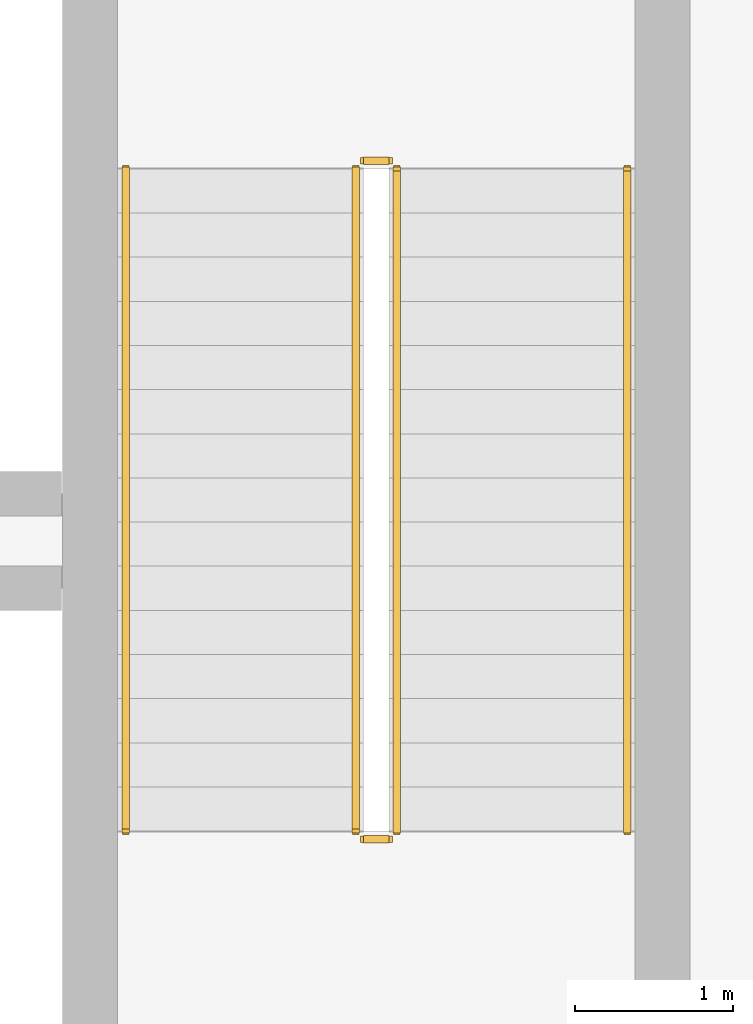
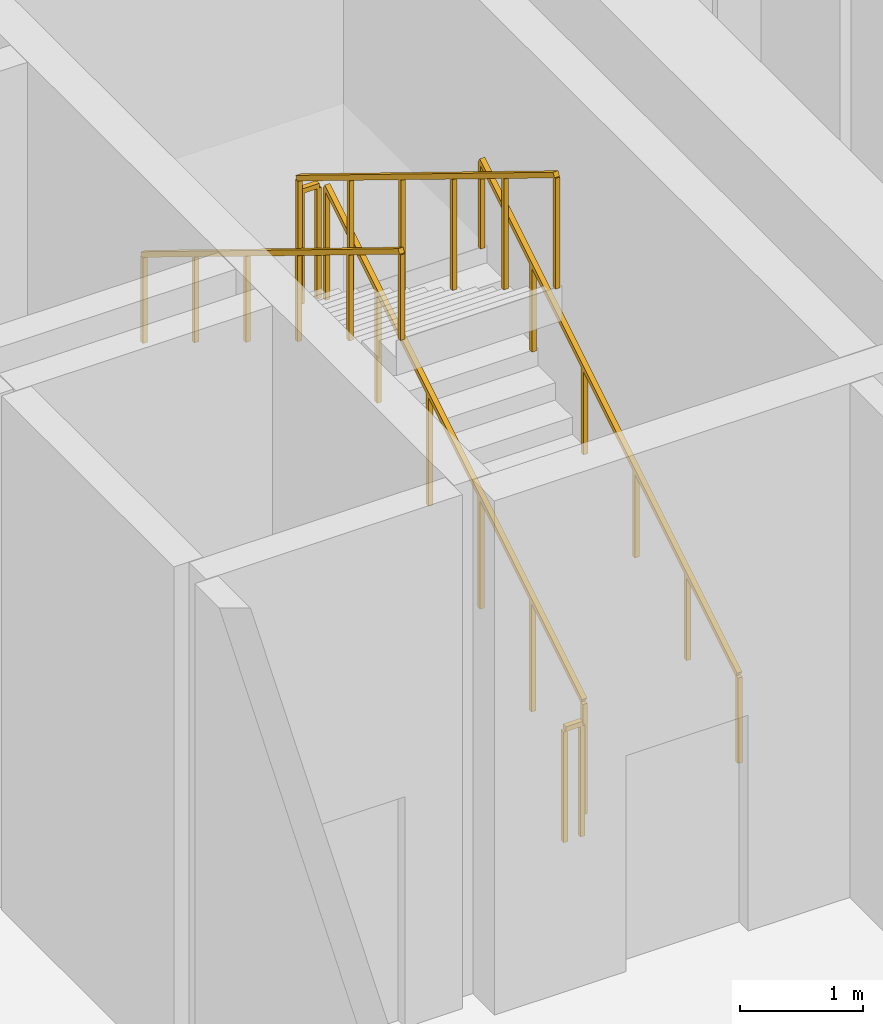
# One storey, part 26 of 26: 6 railings.
"""IFC4 building model written with IfcOpenShell, lengths in metres."""

import ifcopenshell
import ifcopenshell.guid

model = None  # the IFC model being written
_history = None  # IfcOwnerHistory: only IFC2X3 demands one
_inside = {}  # id of a spatial element -> (the spatial element, [elements in it])
_under = {}  # id of a project, library or spatial element -> (it, [spatial elements below it])
_declared = {}  # id of a project -> (the project, [libraries it declares])
_typed = {}  # id of a type object -> (the type object, [elements of that type])
_made_of = {}  # id of a material, layer set ... -> (it, [elements and type objects made of it])


def new_model(schema):
    """Start an empty IFC model of exactly this schema.

    Asked for "IFC4X3", IfcOpenShell would pick the latest addendum, in which some entities
    have other attributes; the version numbers below select the first issue.
    IFC2X3 requires an IfcOwnerHistory on every rooted entity: one is made here for all.
    """
    global model, _history
    if schema == "IFC4X3":
        model = ifcopenshell.file(schema_version=(4, 3, 0, 0))
    else:
        model = ifcopenshell.file(schema=schema)
    _inside.clear()
    _under.clear()
    _declared.clear()
    _typed.clear()
    _made_of.clear()
    _history = None
    if model.schema == "IFC2X3":
        org = make("IfcOrganization", Name="unknown")
        user = make(
            "IfcPersonAndOrganization",
            ThePerson=make("IfcPerson", FamilyName="unknown"),
            TheOrganization=org,
        )
        app = make(
            "IfcApplication",
            ApplicationDeveloper=org,
            Version="unknown",
            ApplicationFullName="unknown",
            ApplicationIdentifier="unknown",
        )
        _history = make(
            "IfcOwnerHistory",
            OwningUser=user,
            OwningApplication=app,
            ChangeAction="ADDED",
            CreationDate=0,
        )
    return model


def make(cls, **values):
    """One entity of the class cls with the attributes given. An attribute that is None is left unset."""
    return model.create_entity(
        cls, **{name: value for name, value in values.items() if value is not None}
    )


def rooted(cls, **values):
    """An entity with a GlobalId (a new one), such as an element, a storey or a relation."""
    return make(cls, GlobalId=ifcopenshell.guid.new(), OwnerHistory=_history, **values)


def si_unit(unit_type, name, prefix=None):
    """IfcSIUnit, for example si_unit("LENGTHUNIT", "METRE", prefix="MILLI")."""
    return make("IfcSIUnit", UnitType=unit_type, Prefix=prefix, Name=name)


def assignment(units):
    """IfcUnitAssignment: the units of a project."""
    return None if units is None else make("IfcUnitAssignment", Units=units)


def point(xyz):
    """IfcCartesianPoint."""
    return None if xyz is None else make("IfcCartesianPoint", Coordinates=xyz)


def direction(xyz):
    """IfcDirection."""
    return None if xyz is None else make("IfcDirection", DirectionRatios=xyz)


def frame(location, z_axis=None, x_axis=None):
    """IfcAxis2Placement3D, a coordinate frame: its origin and axes. An axis left out is left unset."""
    return make(
        "IfcAxis2Placement3D",
        Location=point(location),
        Axis=direction(z_axis),
        RefDirection=direction(x_axis),
    )


def frame_2d(location, x_axis=None):
    """IfcAxis2Placement2D, a coordinate frame in the plane: its origin and x axis."""
    return make(
        "IfcAxis2Placement2D", Location=point(location), RefDirection=direction(x_axis)
    )


def origin():
    """The frame at (0, 0, 0) with its axes left unset."""
    return frame((0.0, 0.0, 0.0))


def origin_2d():
    """The frame at (0, 0) in the plane with its x axis left unset."""
    return frame_2d((0.0, 0.0))


def place(relative_to, where):
    """IfcLocalPlacement: puts the frame where relative to a parent placement (None: the world)."""
    return make(
        "IfcLocalPlacement", PlacementRelTo=relative_to, RelativePlacement=where
    )


def context(
    kind, dimensions, precision=None, world=None, true_north=None, identifier=None
):
    """IfcGeometricRepresentationContext, for example the 3D "Model" context."""
    return make(
        "IfcGeometricRepresentationContext",
        ContextIdentifier=identifier,
        ContextType=kind,
        CoordinateSpaceDimension=dimensions,
        Precision=precision,
        WorldCoordinateSystem=world,
        TrueNorth=true_north,
    )


def subcontext(parent, identifier, kind, view, scale=None):
    """IfcGeometricRepresentationSubContext, for example "Body" below "Model"."""
    return make(
        "IfcGeometricRepresentationSubContext",
        ContextIdentifier=identifier,
        ContextType=kind,
        ParentContext=parent,
        TargetScale=scale,
        TargetView=view,
    )


def project(units=None, contexts=None):
    """IfcProject with its units and contexts."""
    return rooted(
        "IfcProject",
        Name="project",
        RepresentationContexts=contexts,
        UnitsInContext=assignment(units),
    )


def spatial(cls, under=None, at=None, **own):
    """A site, building, storey or space (cls), placed at a placement, below another one or the project."""
    s = rooted(cls, ObjectPlacement=at, **own)
    if under is not None:
        _under.setdefault(under.id(), (under, []))[1].append(s)
    return s


def profile(cls, at=None, kind="AREA", **sizes):
    """A parametric profile (cls). Its sizes go by their IFC names, for example OverallWidth=200.0."""
    return make(cls, ProfileType=kind, Position=at, **sizes)


def rectangle(**sizes):
    """IfcRectangleProfileDef."""
    return profile("IfcRectangleProfileDef", **sizes)


def extrude(swept, where, along, depth):
    """IfcExtrudedAreaSolid: the profile swept, set in the frame where, extruded along a direction by depth."""
    return make(
        "IfcExtrudedAreaSolid",
        SweptArea=swept,
        Position=where,
        ExtrudedDirection=direction(along),
        Depth=depth,
    )


def shape(context_of_items, identifier, shape_type, items):
    """IfcShapeRepresentation: the items that make up one representation, for example the "Body"."""
    return make(
        "IfcShapeRepresentation",
        ContextOfItems=context_of_items,
        RepresentationIdentifier=identifier,
        RepresentationType=shape_type,
        Items=items,
    )


def material(Name=None, Category=None):
    """IfcMaterial."""
    return make("IfcMaterial", Name=Name, Category=Category)


def made_of(thing, what):
    """Note that an element or type object is made of a material, layer set ...; save() writes the relation."""
    if what is not None:
        _made_of.setdefault(what.id(), (what, []))[1].append(thing)
    return thing


def type_object(cls, material=None, **own):
    """A type object (cls), such as IfcWallType, which elements share."""
    return made_of(rooted(cls, **own), material)


def element(
    cls,
    number,
    at=None,
    inside=None,
    cuts=None,
    type_object=None,
    material=None,
    context=None,
    identifier="Body",
    shape_type=None,
    held_by="IfcProductDefinitionShape",
    body=None,
    shapes=None,
    **own,
):
    """One element of the class cls, such as IfcWall. Its Tag is "e" and its number.

    at: its placement. inside: the storey or other place that contains it. cuts: it is an
    opening in that element (IfcRelVoidsElement). A single representation is given by context,
    identifier, shape_type and body (its items); several are given by shapes. held_by: the class
    of the entity that holds the representations. save() writes the other relations.
    """
    e = rooted(cls, Tag="e%d" % number, ObjectPlacement=at, **own)
    if body is not None:
        shapes = [shape(context, identifier, shape_type, body)]
    if shapes is not None:
        e.Representation = make(held_by, Representations=shapes)
    if inside is not None:
        _inside.setdefault(inside.id(), (inside, []))[1].append(e)
    if cuts is not None:
        rooted(
            "IfcRelVoidsElement", RelatingBuildingElement=cuts, RelatedOpeningElement=e
        )
    if type_object is not None:
        _typed.setdefault(type_object.id(), (type_object, []))[1].append(e)
    return made_of(e, material)


def aggregate(whole, parts):
    """IfcRelAggregates: a whole, such as a stair, and the parts it consists of."""
    return rooted("IfcRelAggregates", RelatingObject=whole, RelatedObjects=parts)


def save(model, path):
    """Write the relations noted so far, then the file.

    IfcRelAggregates (storeys below a building ...), IfcRelContainedInSpatialStructure (elements
    in a storey), IfcRelDefinesByType, IfcRelAssociatesMaterial and IfcRelDeclares: one each for
    every whole, place, type object, material and project.
    """
    for whole, parts in _under.values():
        aggregate(whole, parts)
    for where, things in _inside.values():
        rooted(
            "IfcRelContainedInSpatialStructure",
            RelatedElements=things,
            RelatingStructure=where,
        )
    for kind, things in _typed.values():
        rooted("IfcRelDefinesByType", RelatedObjects=things, RelatingType=kind)
    for what, things in _made_of.values():
        rooted("IfcRelAssociatesMaterial", RelatedObjects=things, RelatingMaterial=what)
    for by, libraries in _declared.values():
        rooted("IfcRelDeclares", RelatingContext=by, RelatedDefinitions=libraries)
    model.write(path)


model = new_model("IFC4")

# Units and contexts
model_context = context("Model", 3, precision=1e-05, world=origin(), true_north=direction((0.0, 1.0)))
body_context = subcontext(model_context, "Body", "Model", "MODEL_VIEW")
ifc_project = project(units=[si_unit("LENGTHUNIT", "METRE"), si_unit("AREAUNIT", "SQUARE_METRE"), si_unit("VOLUMEUNIT", "CUBIC_METRE"), si_unit("PLANEANGLEUNIT", "RADIAN"), si_unit("MASSUNIT", "GRAM", prefix="KILO")], contexts=[model_context])

# Site, building, storey
site_placement = place(None, origin())
site = spatial("IfcSite", under=ifc_project, at=site_placement, CompositionType="ELEMENT")
building_placement = place(site_placement, origin())
building = spatial("IfcBuilding", under=site, at=building_placement, Name="Kaelvorn Grand Hotel", CompositionType="ELEMENT")
storey_placement = place(building_placement, frame((0.0, 0.0, 300.199951171875)))
storey = spatial("IfcBuildingStorey", under=building, at=storey_placement, Name="L73", CompositionType="ELEMENT", Elevation=300.199951171875)

# Railings
ifc_material = material(Name="Stainless Steel", Category="steel")
railing_type_1 = type_object("IfcRailingType", Name="RL-HANDRAIL-900", PredefinedType="HANDRAIL", material=ifc_material)
railing_1_placement = place(storey_placement, frame((66.550048828125, 41.760009765625, 0.171875)))
element("IfcRailing", 1, at=railing_1_placement, inside=storey, type_object=railing_type_1, Name="L73 ST3 stair handrail 1", PredefinedType="HANDRAIL", context=body_context, shape_type="SweptSolid", body=[
    extrude(rectangle(XDim=0.048095703125, YDim=0.048095703125, at=origin_2d()), frame((0.0, 0.0, 0.8759765625), z_axis=(0.0, 0.852242915053, 0.523146264196), x_axis=(-1.0, 0.0, 0.0)), (0.0, 0.0, 1.0), 4.92822265625),
    extrude(rectangle(XDim=0.0419921875, YDim=0.0419921875, at=origin_2d()), origin(), (0.0, 0.0, 1.0), 0.851806640625),
    extrude(rectangle(XDim=0.0419921875, YDim=0.0419921875, at=origin_2d()), frame((0.0, 0.840087890625, 0.515625)), (0.0, 0.0, 1.0), 0.851806640625),
    extrude(rectangle(XDim=0.0419921875, YDim=0.0419921875, at=origin_2d()), frame((0.0, 1.679931640625, 1.03125)), (0.0, 0.0, 1.0), 0.851806640625),
    extrude(rectangle(XDim=0.0419921875, YDim=0.0419921875, at=origin_2d()), frame((0.0, 2.52001953125, 1.546875)), (0.0, 0.0, 1.0), 0.851806640625),
    extrude(rectangle(XDim=0.0419921875, YDim=0.0419921875, at=origin_2d()), frame((0.0, 3.35986328125, 2.0625)), (0.0, 0.0, 1.0), 0.851806640625),
    extrude(rectangle(XDim=0.0419921875, YDim=0.0419921875, at=origin_2d()), frame((0.0, 4.199951171875, 2.578125)), (0.0, 0.0, 1.0), 0.851806640625),
])
railing_2_placement = place(storey_placement, frame((63.3701171875, 45.9599609375, 2.921875)))
element("IfcRailing", 2, at=railing_2_placement, inside=storey, type_object=railing_type_1, Name="L73 ST3 stair handrail 2", PredefinedType="HANDRAIL", context=body_context, shape_type="SweptSolid", body=[
    extrude(rectangle(XDim=0.048095703125, YDim=0.048095703125, at=origin_2d()), frame((0.0, 0.0, 0.8759765625), z_axis=(0.0, -0.852242915053, 0.523146264196), x_axis=(1.0, 0.0, 0.0)), (0.0, 0.0, 1.0), 4.92822265625),
    extrude(rectangle(XDim=0.0419921875, YDim=0.0419921875, at=origin_2d()), origin(), (0.0, 0.0, 1.0), 0.851806640625),
    extrude(rectangle(XDim=0.0419921875, YDim=0.0419921875, at=origin_2d()), frame((0.0, -0.840087890625, 0.515625)), (0.0, 0.0, 1.0), 0.851806640625),
    extrude(rectangle(XDim=0.0419921875, YDim=0.0419921875, at=origin_2d()), frame((0.0, -1.679931640625, 1.03125)), (0.0, 0.0, 1.0), 0.851806640625),
    extrude(rectangle(XDim=0.0419921875, YDim=0.0419921875, at=origin_2d()), frame((0.0, -2.52001953125, 1.546875)), (0.0, 0.0, 1.0), 0.851806640625),
    extrude(rectangle(XDim=0.0419921875, YDim=0.0419921875, at=origin_2d()), frame((0.0, -3.35986328125, 2.0625)), (0.0, 0.0, 1.0), 0.851806640625),
    extrude(rectangle(XDim=0.0419921875, YDim=0.0419921875, at=origin_2d()), frame((0.0, -4.199951171875, 2.578125)), (0.0, 0.0, 1.0), 0.851806640625),
])
railing_type_2 = type_object("IfcRailingType", Name="RL-STAIR-GUARD-1150", PredefinedType="BALUSTRADE", material=ifc_material)
railing_3_placement = place(storey_placement, frame((65.090087890625, 41.760009765625, 0.171875)))
element("IfcRailing", 3, at=railing_3_placement, inside=storey, type_object=railing_type_2, Name="L73 ST3 stair guard 1", PredefinedType="BALUSTRADE", context=body_context, shape_type="SweptSolid", body=[
    extrude(rectangle(XDim=0.048095703125, YDim=0.048095703125, at=origin_2d()), frame((0.0, 0.0, 1.1259765625), z_axis=(0.0, 0.852242915053, 0.523146264196), x_axis=(-1.0, 0.0, 0.0)), (0.0, 0.0, 1.0), 4.92822265625),
    extrude(rectangle(XDim=0.0419921875, YDim=0.0419921875, at=origin_2d()), origin(), (0.0, 0.0, 1.0), 1.101806640625),
    extrude(rectangle(XDim=0.0419921875, YDim=0.0419921875, at=origin_2d()), frame((0.0, 0.840087890625, 0.515625)), (0.0, 0.0, 1.0), 1.101806640625),
    extrude(rectangle(XDim=0.0419921875, YDim=0.0419921875, at=origin_2d()), frame((0.0, 1.679931640625, 1.03125)), (0.0, 0.0, 1.0), 1.101806640625),
    extrude(rectangle(XDim=0.0419921875, YDim=0.0419921875, at=origin_2d()), frame((0.0, 2.52001953125, 1.546875)), (0.0, 0.0, 1.0), 1.101806640625),
    extrude(rectangle(XDim=0.0419921875, YDim=0.0419921875, at=origin_2d()), frame((0.0, 3.35986328125, 2.0625)), (0.0, 0.0, 1.0), 1.101806640625),
    extrude(rectangle(XDim=0.0419921875, YDim=0.0419921875, at=origin_2d()), frame((0.0, 4.199951171875, 2.578125)), (0.0, 0.0, 1.0), 1.101806640625),
])
railing_4_placement = place(storey_placement, frame((65.0400390625, 46.010009765625, 2.75)))
element("IfcRailing", 4, at=railing_4_placement, inside=storey, type_object=railing_type_2, Name="L73 ST3 stair guard 2", PredefinedType="BALUSTRADE", context=body_context, shape_type="SweptSolid", body=[
    extrude(rectangle(XDim=0.048095703125, YDim=0.048095703125, at=origin_2d()), frame((0.0, 0.0, 1.1259765625), z_axis=(-1.0, 0.0, 0.0), x_axis=(0.0, -1.0, 0.0)), (0.0, 0.0, 1.0), 0.16015625),
    extrude(rectangle(XDim=0.0419921875, YDim=0.0419921875, at=origin_2d()), origin(), (0.0, 0.0, 1.0), 1.101806640625),
    extrude(rectangle(XDim=0.0419921875, YDim=0.0419921875, at=origin_2d()), frame((-0.16015625, 0.0, 0.0)), (0.0, 0.0, 1.0), 1.101806640625),
])
railing_5_placement = place(storey_placement, frame((64.830078125, 45.9599609375, 2.921875)))
element("IfcRailing", 5, at=railing_5_placement, inside=storey, type_object=railing_type_2, Name="L73 ST3 stair guard 3", PredefinedType="BALUSTRADE", context=body_context, shape_type="SweptSolid", body=[
    extrude(rectangle(XDim=0.048095703125, YDim=0.048095703125, at=origin_2d()), frame((0.0, 0.0, 1.1259765625), z_axis=(0.0, -0.852242915053, 0.523146264196), x_axis=(1.0, 0.0, 0.0)), (0.0, 0.0, 1.0), 4.92822265625),
    extrude(rectangle(XDim=0.0419921875, YDim=0.0419921875, at=origin_2d()), origin(), (0.0, 0.0, 1.0), 1.101806640625),
    extrude(rectangle(XDim=0.0419921875, YDim=0.0419921875, at=origin_2d()), frame((0.0, -0.840087890625, 0.515625)), (0.0, 0.0, 1.0), 1.101806640625),
    extrude(rectangle(XDim=0.0419921875, YDim=0.0419921875, at=origin_2d()), frame((0.0, -1.679931640625, 1.03125)), (0.0, 0.0, 1.0), 1.101806640625),
    extrude(rectangle(XDim=0.0419921875, YDim=0.0419921875, at=origin_2d()), frame((0.0, -2.52001953125, 1.546875)), (0.0, 0.0, 1.0), 1.101806640625),
    extrude(rectangle(XDim=0.0419921875, YDim=0.0419921875, at=origin_2d()), frame((0.0, -3.35986328125, 2.0625)), (0.0, 0.0, 1.0), 1.101806640625),
    extrude(rectangle(XDim=0.0419921875, YDim=0.0419921875, at=origin_2d()), frame((0.0, -4.199951171875, 2.578125)), (0.0, 0.0, 1.0), 1.101806640625),
])
railing_6_placement = place(storey_placement, frame((65.0400390625, 41.7099609375, 0.0)))
element("IfcRailing", 6, at=railing_6_placement, inside=storey, type_object=railing_type_2, Name="L73 ST3 stair guard 4", PredefinedType="BALUSTRADE", context=body_context, shape_type="SweptSolid", body=[
    extrude(rectangle(XDim=0.048095703125, YDim=0.048095703125, at=origin_2d()), frame((0.0, 0.0, 1.1259765625), z_axis=(-1.0, 0.0, 0.0), x_axis=(0.0, -1.0, 0.0)), (0.0, 0.0, 1.0), 0.16015625),
    extrude(rectangle(XDim=0.0419921875, YDim=0.0419921875, at=origin_2d()), origin(), (0.0, 0.0, 1.0), 1.101806640625),
    extrude(rectangle(XDim=0.0419921875, YDim=0.0419921875, at=origin_2d()), frame((-0.16015625, 0.0, 0.0)), (0.0, 0.0, 1.0), 1.101806640625),
])

save(model, "model.ifc")
